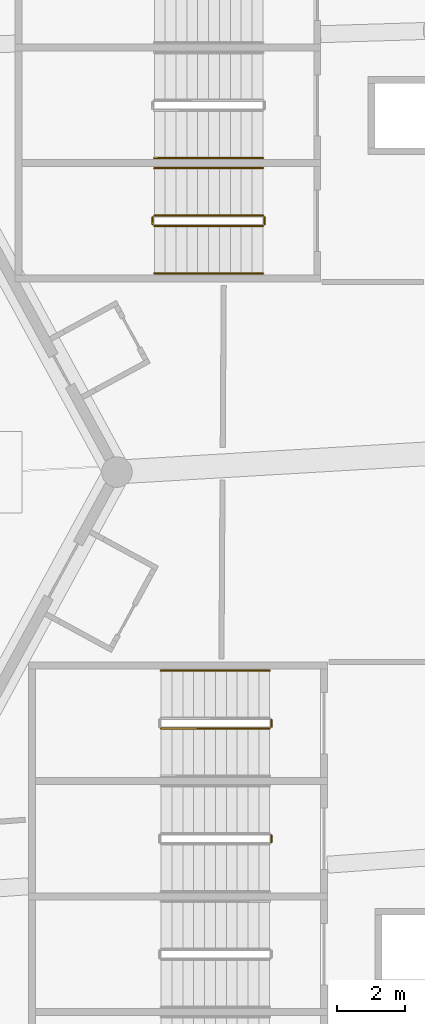
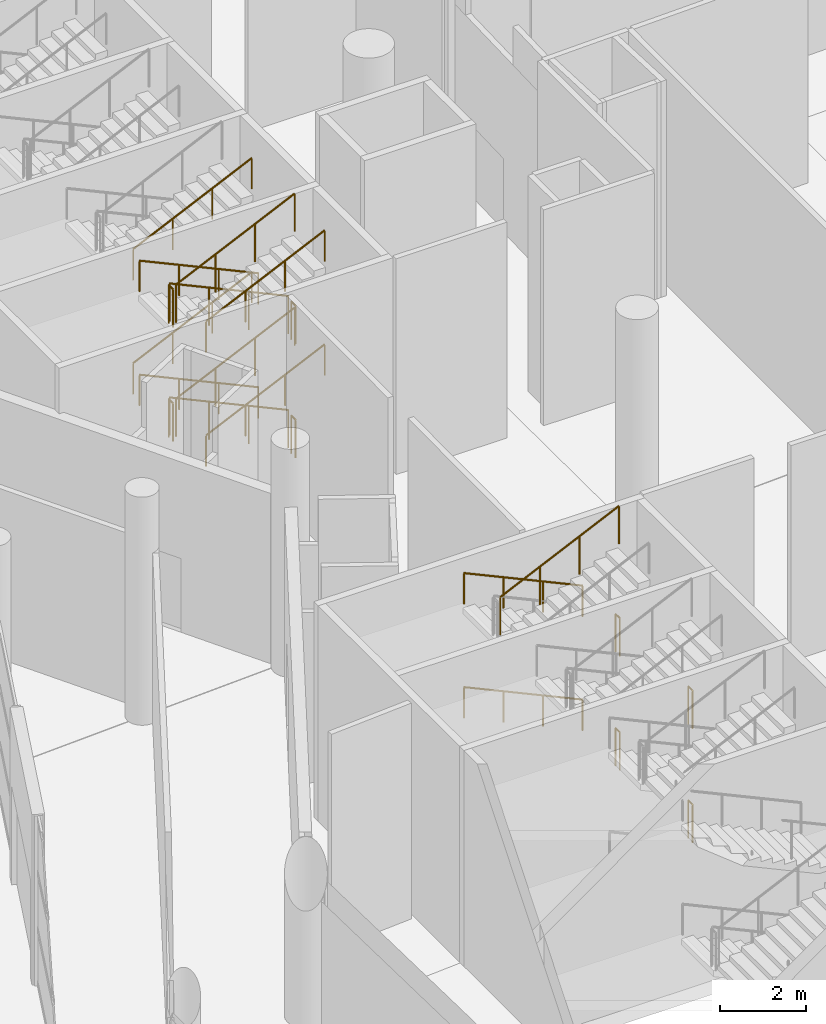
# One storey, part 198 of 255: 21 railings.
"""IFC4 building model written with IfcOpenShell, lengths in metres."""

from ifc_helpers import new_model, si_unit, direction, frame, origin, origin_2d, place, context, subcontext, project, spatial, circle, extrude, material, type_object, element, save


model = new_model("IFC4")

# Units and contexts
model_context = context("Model", 3, precision=1e-05, world=origin(), true_north=direction((0.0, 1.0)))
body_context = subcontext(model_context, "Body", "Model", "MODEL_VIEW")
ifc_project = project(units=[si_unit("LENGTHUNIT", "METRE"), si_unit("AREAUNIT", "SQUARE_METRE"), si_unit("VOLUMEUNIT", "CUBIC_METRE"), si_unit("PLANEANGLEUNIT", "RADIAN"), si_unit("MASSUNIT", "GRAM", prefix="KILO")], contexts=[model_context])

# Site, building, storey
site_placement = place(None, origin())
site = spatial("IfcSite", under=ifc_project, at=site_placement, CompositionType="ELEMENT")
building_placement = place(site_placement, origin())
building = spatial("IfcBuilding", under=site, at=building_placement, Name="Meseta Stadium", CompositionType="ELEMENT")
storey_placement = place(building_placement, origin())
storey = spatial("IfcBuildingStorey", under=building, at=storey_placement, Name="L00", CompositionType="ELEMENT", Elevation=0.0)

# Railings
ifc_material_1 = material(Name="Steel S355", Category="steel")
railing_type_1 = type_object("IfcRailingType", Name="Stair guard 1100", PredefinedType="GUARDRAIL", material=ifc_material_1)
railing_1_placement = place(storey_placement, frame((-90.300048828125, -23.699951171875, 0.147705078125)))
element("IfcRailing", 1, at=railing_1_placement, inside=storey, type_object=railing_type_1, Name="ST72 L00 guard 1", PredefinedType="GUARDRAIL", context=body_context, shape_type="SweptSolid", body=[
    extrude(circle(Radius=0.02392578125, at=origin_2d()), frame((0.0, 0.0, 1.076171875), z_axis=(-0.907916804346, 0.0, 0.419150422148), x_axis=(0.0, -1.0, 0.0)), (0.0, 0.0, 1.0), 3.5244140625),
    extrude(circle(Radius=0.02099609375, at=origin_2d()), origin(), (0.0, 0.0, 1.0), 1.052001953125),
    extrude(circle(Radius=0.02099609375, at=origin_2d()), frame((-1.066650390625, 0.0, 0.492431640625)), (0.0, 0.0, 1.0), 1.052001953125),
    extrude(circle(Radius=0.02099609375, at=origin_2d()), frame((-2.13330078125, 0.0, 0.98486328125)), (0.0, 0.0, 1.0), 1.052001953125),
    extrude(circle(Radius=0.02099609375, at=origin_2d()), frame((-3.199951171875, 0.0, 1.477294921875)), (0.0, 0.0, 1.0), 1.052001953125),
])
railing_2_placement = place(storey_placement, frame((-93.550048828125, -23.75, 1.625)))
element("IfcRailing", 2, at=railing_2_placement, inside=storey, type_object=railing_type_1, Name="ST72 L00 guard 2", PredefinedType="GUARDRAIL", context=body_context, shape_type="SweptSolid", body=[
    extrude(circle(Radius=0.02392578125, at=origin_2d()), frame((0.0, 0.0, 1.076171875), z_axis=(0.0, -1.0, 0.0), x_axis=(1.0, 0.0, 0.0)), (0.0, 0.0, 1.0), 0.199951171875),
    extrude(circle(Radius=0.02099609375, at=origin_2d()), origin(), (0.0, 0.0, 1.0), 1.052001953125),
    extrude(circle(Radius=0.02099609375, at=origin_2d()), frame((0.0, -0.199951171875, 0.0)), (0.0, 0.0, 1.0), 1.052001953125),
])
railing_3_placement = place(storey_placement, frame((-93.5, -24.0, 1.772705078125)))
element("IfcRailing", 3, at=railing_3_placement, inside=storey, type_object=railing_type_1, Name="ST72 L00 guard 3", PredefinedType="GUARDRAIL", context=body_context, shape_type="SweptSolid", body=[
    extrude(circle(Radius=0.02392578125, at=origin_2d()), frame((0.0, 0.0, 1.076171875), z_axis=(0.907916804346, 0.0, 0.419150422148), x_axis=(0.0, 1.0, 0.0)), (0.0, 0.0, 1.0), 3.5244140625),
    extrude(circle(Radius=0.02099609375, at=origin_2d()), origin(), (0.0, 0.0, 1.0), 1.052001953125),
    extrude(circle(Radius=0.02099609375, at=origin_2d()), frame((1.066650390625, 0.0, 0.492431640625)), (0.0, 0.0, 1.0), 1.052001953125),
    extrude(circle(Radius=0.02099609375, at=origin_2d()), frame((2.13330078125, 0.0, 0.98486328125)), (0.0, 0.0, 1.0), 1.052001953125),
    extrude(circle(Radius=0.02099609375, at=origin_2d()), frame((3.199951171875, 0.0, 1.477294921875)), (0.0, 0.0, 1.0), 1.052001953125),
])
railing_4_placement = place(storey_placement, frame((-90.25, -23.75, 3.25)))
element("IfcRailing", 4, at=railing_4_placement, inside=storey, type_object=railing_type_1, Name="ST72 L00 guard 4", PredefinedType="GUARDRAIL", context=body_context, shape_type="SweptSolid", body=[
    extrude(circle(Radius=0.02392578125, at=origin_2d()), frame((0.0, 0.0, 1.076171875), z_axis=(0.0, -1.0, 0.0), x_axis=(1.0, 0.0, 0.0)), (0.0, 0.0, 1.0), 0.199951171875),
    extrude(circle(Radius=0.02099609375, at=origin_2d()), origin(), (0.0, 0.0, 1.0), 1.052001953125),
    extrude(circle(Radius=0.02099609375, at=origin_2d()), frame((0.0, -0.199951171875, 0.0)), (0.0, 0.0, 1.0), 1.052001953125),
])
railing_5_placement = place(storey_placement, frame((-90.300048828125, -23.699951171875, 3.397705078125)))
element("IfcRailing", 5, at=railing_5_placement, inside=storey, type_object=railing_type_1, Name="ST72 L00 guard 5", PredefinedType="GUARDRAIL", context=body_context, shape_type="SweptSolid", body=[
    extrude(circle(Radius=0.02392578125, at=origin_2d()), frame((0.0, 0.0, 1.076171875), z_axis=(-0.907916804346, 0.0, 0.419150422148), x_axis=(0.0, -1.0, 0.0)), (0.0, 0.0, 1.0), 3.5244140625),
    extrude(circle(Radius=0.02099609375, at=origin_2d()), origin(), (0.0, 0.0, 1.0), 1.052001953125),
    extrude(circle(Radius=0.02099609375, at=origin_2d()), frame((-1.066650390625, 0.0, 0.492431640625)), (0.0, 0.0, 1.0), 1.052001953125),
    extrude(circle(Radius=0.02099609375, at=origin_2d()), frame((-2.13330078125, 0.0, 0.98486328125)), (0.0, 0.0, 1.0), 1.052001953125),
    extrude(circle(Radius=0.02099609375, at=origin_2d()), frame((-3.199951171875, 0.0, 1.477294921875)), (0.0, 0.0, 1.0), 1.052001953125),
])
railing_6_placement = place(storey_placement, frame((-93.550048828125, -23.75, 4.875)))
element("IfcRailing", 6, at=railing_6_placement, inside=storey, type_object=railing_type_1, Name="ST72 L00 guard 6", PredefinedType="GUARDRAIL", context=body_context, shape_type="SweptSolid", body=[
    extrude(circle(Radius=0.02392578125, at=origin_2d()), frame((0.0, 0.0, 1.076171875), z_axis=(0.0, -1.0, 0.0), x_axis=(1.0, 0.0, 0.0)), (0.0, 0.0, 1.0), 0.199951171875),
    extrude(circle(Radius=0.02099609375, at=origin_2d()), origin(), (0.0, 0.0, 1.0), 1.052001953125),
    extrude(circle(Radius=0.02099609375, at=origin_2d()), frame((0.0, -0.199951171875, 0.0)), (0.0, 0.0, 1.0), 1.052001953125),
])
railing_7_placement = place(storey_placement, frame((-93.5, -24.0, 5.022705078125)))
element("IfcRailing", 7, at=railing_7_placement, inside=storey, type_object=railing_type_1, Name="ST72 L00 guard 7", PredefinedType="GUARDRAIL", context=body_context, shape_type="SweptSolid", body=[
    extrude(circle(Radius=0.02392578125, at=origin_2d()), frame((0.0, 0.0, 1.076171875), z_axis=(0.907916804346, 0.0, 0.419150422148), x_axis=(0.0, 1.0, 0.0)), (0.0, 0.0, 1.0), 3.5244140625),
    extrude(circle(Radius=0.02099609375, at=origin_2d()), origin(), (0.0, 0.0, 1.0), 1.052001953125),
    extrude(circle(Radius=0.02099609375, at=origin_2d()), frame((1.066650390625, 0.0, 0.492431640625)), (0.0, 0.0, 1.0), 1.052001953125),
    extrude(circle(Radius=0.02099609375, at=origin_2d()), frame((2.13330078125, 0.0, 0.98486328125)), (0.0, 0.0, 1.0), 1.052001953125),
    extrude(circle(Radius=0.02099609375, at=origin_2d()), frame((3.199951171875, 0.0, 1.477294921875)), (0.0, 0.0, 1.0), 1.052001953125),
])
for number, where, name in (
    (8, (-90.25, -23.75, 0.0), "ST72 L00 guard 8"),
    (9, (-90.050048828125, -38.550048828125, 3.25), "ST73 L00 guard 4"),
):
    element("IfcRailing", number, at=place(storey_placement, frame(where)), inside=storey, type_object=railing_type_1, Name=name, PredefinedType="GUARDRAIL", context=body_context, shape_type="SweptSolid", body=[
        extrude(circle(Radius=0.02392578125, at=origin_2d()), frame((0.0, 0.0, 1.076171875), z_axis=(0.0, -1.0, 0.0), x_axis=(1.0, 0.0, 0.0)), (0.0, 0.0, 1.0), 0.199951171875),
        extrude(circle(Radius=0.02099609375, at=origin_2d()), origin(), (0.0, 0.0, 1.0), 1.052001953125),
        extrude(circle(Radius=0.02099609375, at=origin_2d()), frame((0.0, -0.199951171875, 0.0)), (0.0, 0.0, 1.0), 1.052001953125),
    ])
railing_8_placement = place(storey_placement, frame((-93.300048828125, -38.800048828125, 5.022705078125)))
element("IfcRailing", 10, at=railing_8_placement, inside=storey, type_object=railing_type_1, Name="ST73 L00 guard 7", PredefinedType="GUARDRAIL", context=body_context, shape_type="SweptSolid", body=[
    extrude(circle(Radius=0.02392578125, at=origin_2d()), frame((0.0, 0.0, 1.076171875), z_axis=(0.907916804346, 0.0, 0.419150422148), x_axis=(0.0, 1.0, 0.0)), (0.0, 0.0, 1.0), 3.5244140625),
    extrude(circle(Radius=0.02099609375, at=origin_2d()), origin(), (0.0, 0.0, 1.0), 1.052001953125),
    extrude(circle(Radius=0.02099609375, at=origin_2d()), frame((1.066650390625, 0.0, 0.492431640625)), (0.0, 0.0, 1.0), 1.052001953125),
    extrude(circle(Radius=0.02099609375, at=origin_2d()), frame((2.13330078125, 0.0, 0.98486328125)), (0.0, 0.0, 1.0), 1.052001953125),
    extrude(circle(Radius=0.02099609375, at=origin_2d()), frame((3.199951171875, 0.0, 1.477294921875)), (0.0, 0.0, 1.0), 1.052001953125),
])
for number, where, name in (
    (11, (-90.050048828125, -38.550048828125, 0.0), "ST73 L00 guard 8"),
    (12, (-90.050048828125, -41.949951171875, 3.25), "ST74 L00 guard 4"),
    (13, (-90.050048828125, -41.949951171875, 0.0), "ST74 L00 guard 8"),
):
    element("IfcRailing", number, at=place(storey_placement, frame(where)), inside=storey, type_object=railing_type_1, Name=name, PredefinedType="GUARDRAIL", context=body_context, shape_type="SweptSolid", body=[
        extrude(circle(Radius=0.02392578125, at=origin_2d()), frame((0.0, 0.0, 1.076171875), z_axis=(0.0, -1.0, 0.0), x_axis=(1.0, 0.0, 0.0)), (0.0, 0.0, 1.0), 0.199951171875),
        extrude(circle(Radius=0.02099609375, at=origin_2d()), origin(), (0.0, 0.0, 1.0), 1.052001953125),
        extrude(circle(Radius=0.02099609375, at=origin_2d()), frame((0.0, -0.199951171875, 0.0)), (0.0, 0.0, 1.0), 1.052001953125),
    ])
ifc_material_2 = material(Name="Steel S355", Category="steel")
railing_type_2 = type_object("IfcRailingType", Name="Stair handrail 900", PredefinedType="HANDRAIL", material=ifc_material_2)
for number, where, name in (
    (14, (-93.5, -22.0, 1.772705078125), "ST71 L00 handrail 2"),
    (15, (-93.5, -22.0, 5.022705078125), "ST71 L00 handrail 4"),
):
    element("IfcRailing", number, at=place(storey_placement, frame(where)), inside=storey, type_object=railing_type_2, Name=name, PredefinedType="HANDRAIL", context=body_context, shape_type="SweptSolid", body=[
        extrude(circle(Radius=0.02392578125, at=origin_2d()), frame((0.0, 0.0, 0.8759765625), z_axis=(0.907916804346, 0.0, 0.419150422148), x_axis=(0.0, 1.0, 0.0)), (0.0, 0.0, 1.0), 3.5244140625),
        extrude(circle(Radius=0.02099609375, at=origin_2d()), origin(), (0.0, 0.0, 1.0), 0.851806640625),
        extrude(circle(Radius=0.02099609375, at=origin_2d()), frame((1.066650390625, 0.0, 0.492431640625)), (0.0, 0.0, 1.0), 0.851806640625),
        extrude(circle(Radius=0.02099609375, at=origin_2d()), frame((2.13330078125, 0.0, 0.98486328125)), (0.0, 0.0, 1.0), 0.851806640625),
        extrude(circle(Radius=0.02099609375, at=origin_2d()), frame((3.199951171875, 0.0, 1.477294921875)), (0.0, 0.0, 1.0), 0.851806640625),
    ])
railing_9_placement = place(storey_placement, frame((-90.300048828125, -22.300048828125, 0.147705078125)))
element("IfcRailing", 16, at=railing_9_placement, inside=storey, type_object=railing_type_2, Name="ST72 L00 handrail 1", PredefinedType="HANDRAIL", context=body_context, shape_type="SweptSolid", body=[
    extrude(circle(Radius=0.02392578125, at=origin_2d()), frame((0.0, 0.0, 0.8759765625), z_axis=(-0.907916804346, 0.0, 0.419150422148), x_axis=(0.0, -1.0, 0.0)), (0.0, 0.0, 1.0), 3.5244140625),
    extrude(circle(Radius=0.02099609375, at=origin_2d()), origin(), (0.0, 0.0, 1.0), 0.851806640625),
    extrude(circle(Radius=0.02099609375, at=origin_2d()), frame((-1.066650390625, 0.0, 0.492431640625)), (0.0, 0.0, 1.0), 0.851806640625),
    extrude(circle(Radius=0.02099609375, at=origin_2d()), frame((-2.13330078125, 0.0, 0.98486328125)), (0.0, 0.0, 1.0), 0.851806640625),
    extrude(circle(Radius=0.02099609375, at=origin_2d()), frame((-3.199951171875, 0.0, 1.477294921875)), (0.0, 0.0, 1.0), 0.851806640625),
])
railing_10_placement = place(storey_placement, frame((-93.5, -25.39990234375, 1.772705078125)))
element("IfcRailing", 17, at=railing_10_placement, inside=storey, type_object=railing_type_2, Name="ST72 L00 handrail 2", PredefinedType="HANDRAIL", context=body_context, shape_type="SweptSolid", body=[
    extrude(circle(Radius=0.02392578125, at=origin_2d()), frame((0.0, 0.0, 0.8759765625), z_axis=(0.907916804346, 0.0, 0.419150422148), x_axis=(0.0, 1.0, 0.0)), (0.0, 0.0, 1.0), 3.5244140625),
    extrude(circle(Radius=0.02099609375, at=origin_2d()), origin(), (0.0, 0.0, 1.0), 0.851806640625),
    extrude(circle(Radius=0.02099609375, at=origin_2d()), frame((1.066650390625, 0.0, 0.492431640625)), (0.0, 0.0, 1.0), 0.851806640625),
    extrude(circle(Radius=0.02099609375, at=origin_2d()), frame((2.13330078125, 0.0, 0.98486328125)), (0.0, 0.0, 1.0), 0.851806640625),
    extrude(circle(Radius=0.02099609375, at=origin_2d()), frame((3.199951171875, 0.0, 1.477294921875)), (0.0, 0.0, 1.0), 0.851806640625),
])
railing_11_placement = place(storey_placement, frame((-90.300048828125, -22.300048828125, 3.397705078125)))
element("IfcRailing", 18, at=railing_11_placement, inside=storey, type_object=railing_type_2, Name="ST72 L00 handrail 3", PredefinedType="HANDRAIL", context=body_context, shape_type="SweptSolid", body=[
    extrude(circle(Radius=0.02392578125, at=origin_2d()), frame((0.0, 0.0, 0.8759765625), z_axis=(-0.907916804346, 0.0, 0.419150422148), x_axis=(0.0, -1.0, 0.0)), (0.0, 0.0, 1.0), 3.5244140625),
    extrude(circle(Radius=0.02099609375, at=origin_2d()), origin(), (0.0, 0.0, 1.0), 0.851806640625),
    extrude(circle(Radius=0.02099609375, at=origin_2d()), frame((-1.066650390625, 0.0, 0.492431640625)), (0.0, 0.0, 1.0), 0.851806640625),
    extrude(circle(Radius=0.02099609375, at=origin_2d()), frame((-2.13330078125, 0.0, 0.98486328125)), (0.0, 0.0, 1.0), 0.851806640625),
    extrude(circle(Radius=0.02099609375, at=origin_2d()), frame((-3.199951171875, 0.0, 1.477294921875)), (0.0, 0.0, 1.0), 0.851806640625),
])
railing_12_placement = place(storey_placement, frame((-93.5, -25.39990234375, 5.022705078125)))
element("IfcRailing", 19, at=railing_12_placement, inside=storey, type_object=railing_type_2, Name="ST72 L00 handrail 4", PredefinedType="HANDRAIL", context=body_context, shape_type="SweptSolid", body=[
    extrude(circle(Radius=0.02392578125, at=origin_2d()), frame((0.0, 0.0, 0.8759765625), z_axis=(0.907916804346, 0.0, 0.419150422148), x_axis=(0.0, 1.0, 0.0)), (0.0, 0.0, 1.0), 3.5244140625),
    extrude(circle(Radius=0.02099609375, at=origin_2d()), origin(), (0.0, 0.0, 1.0), 0.851806640625),
    extrude(circle(Radius=0.02099609375, at=origin_2d()), frame((1.066650390625, 0.0, 0.492431640625)), (0.0, 0.0, 1.0), 0.851806640625),
    extrude(circle(Radius=0.02099609375, at=origin_2d()), frame((2.13330078125, 0.0, 0.98486328125)), (0.0, 0.0, 1.0), 0.851806640625),
    extrude(circle(Radius=0.02099609375, at=origin_2d()), frame((3.199951171875, 0.0, 1.477294921875)), (0.0, 0.0, 1.0), 0.851806640625),
])
for number, where, name in (
    (20, (-90.10009765625, -37.10009765625, 0.147705078125), "ST73 L00 handrail 1"),
    (21, (-90.10009765625, -37.10009765625, 3.397705078125), "ST73 L00 handrail 3"),
):
    element("IfcRailing", number, at=place(storey_placement, frame(where)), inside=storey, type_object=railing_type_2, Name=name, PredefinedType="HANDRAIL", context=body_context, shape_type="SweptSolid", body=[
        extrude(circle(Radius=0.02392578125, at=origin_2d()), frame((0.0, 0.0, 0.8759765625), z_axis=(-0.907916804346, 0.0, 0.419150422148), x_axis=(0.0, -1.0, 0.0)), (0.0, 0.0, 1.0), 3.5244140625),
        extrude(circle(Radius=0.02099609375, at=origin_2d()), origin(), (0.0, 0.0, 1.0), 0.851806640625),
        extrude(circle(Radius=0.02099609375, at=origin_2d()), frame((-1.066650390625, 0.0, 0.492431640625)), (0.0, 0.0, 1.0), 0.851806640625),
        extrude(circle(Radius=0.02099609375, at=origin_2d()), frame((-2.13330078125, 0.0, 0.98486328125)), (0.0, 0.0, 1.0), 0.851806640625),
        extrude(circle(Radius=0.02099609375, at=origin_2d()), frame((-3.199951171875, 0.0, 1.477294921875)), (0.0, 0.0, 1.0), 0.851806640625),
    ])

save(model, "model.ifc")
